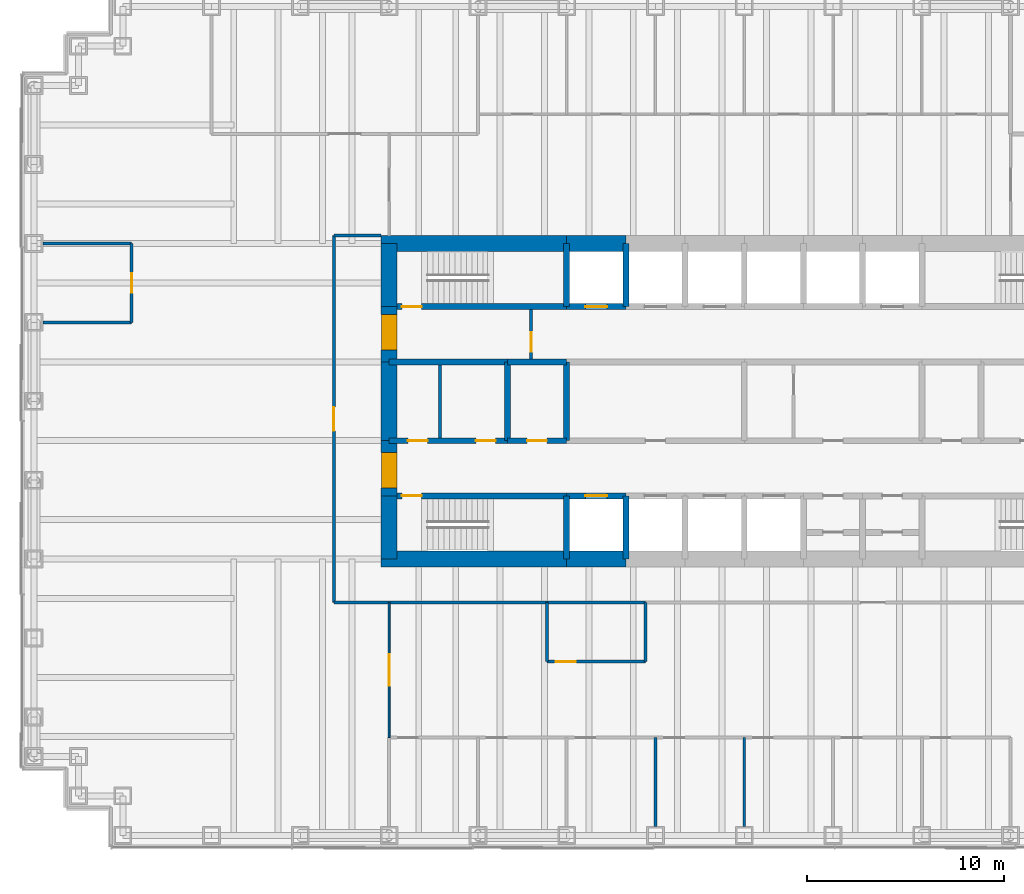
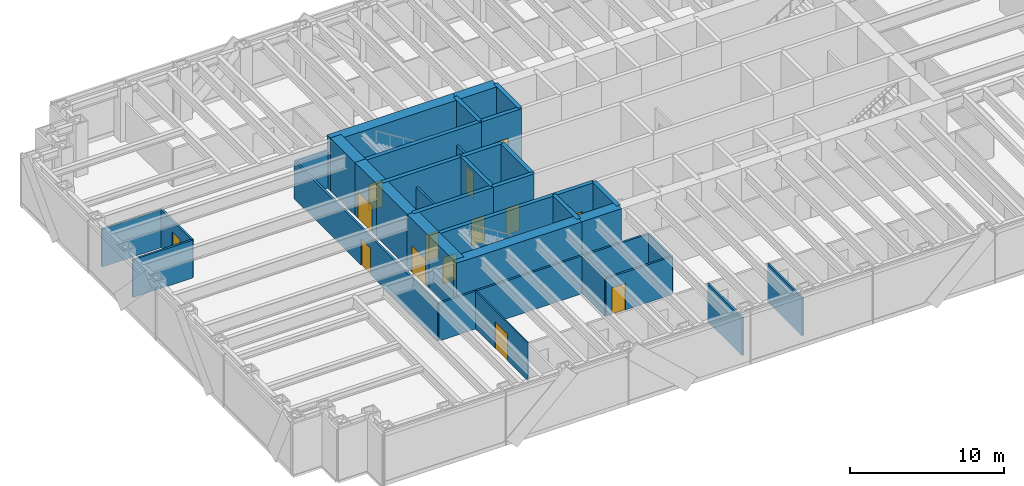
# One storey, part 10 of 14: 38 walls, 14 doors, 14 openings.
"""IFC4 building model written with IfcOpenShell, lengths in metres."""

from ifc_helpers import new_model, si_unit, direction, frame, frame_2d, origin, place, context, subcontext, project, spatial, rectangle, extrude, material, layer, layer_set, type_object, element, fill, save


model = new_model("IFC4")

# Units and contexts
model_context = context("Model", 3, precision=1e-05, world=origin(), true_north=direction((0.0, 1.0)))
body_context = subcontext(model_context, "Body", "Model", "MODEL_VIEW")
ifc_project = project(units=[si_unit("LENGTHUNIT", "METRE"), si_unit("AREAUNIT", "SQUARE_METRE"), si_unit("VOLUMEUNIT", "CUBIC_METRE"), si_unit("PLANEANGLEUNIT", "RADIAN"), si_unit("MASSUNIT", "GRAM", prefix="KILO")], contexts=[model_context])

# Site, building, storey
site_placement = place(None, origin())
site = spatial("IfcSite", under=ifc_project, at=site_placement, CompositionType="ELEMENT")
building_placement = place(site_placement, origin())
building = spatial("IfcBuilding", under=site, at=building_placement, Name="Rheinbord Bourse Tower", CompositionType="ELEMENT")
storey_placement = place(building_placement, frame((0.0, 0.0, 194.199951171875)))
storey = spatial("IfcBuildingStorey", under=building, at=storey_placement, Name="L43", CompositionType="ELEMENT", Elevation=194.199951171875)

# Wall, opening, door
ifc_material_1 = material(Name="Concrete C50/60", Category="concrete")
ifc_layer_1 = layer(ifc_material_1, 0.300048828125)
ifc_layer_set_1 = layer_set([ifc_layer_1], Name="CORE INNER WALL 300")
wall_type_1 = type_object("IfcWallType", Name="CORE INNER WALL 300", PredefinedType="SOLIDWALL", material=ifc_layer_set_1)
wall_1_placement = place(storey_placement, frame((18.0, 19.199951171875, 0.0), z_axis=(0.0, 0.0, 1.0), x_axis=(1.0, 0.0, 0.0)))
wall_1 = element("IfcWall", 1, at=wall_1_placement, inside=storey, type_object=wall_type_1, Name="Core wall A1 L43", PredefinedType="SOLIDWALL", context=body_context, shape_type="SweptSolid", body=[
    extrude(rectangle(XDim=9.0, YDim=0.300048828125, at=frame_2d((4.5, 0.0))), origin(), (0.0, 0.0, 1.0), 4.199951171875),
])
opening_1_placement = place(wall_1_placement, frame((0.64990234375, 0.0, 0.0)))
opening_1 = element("IfcOpeningElement", 2, at=opening_1_placement, cuts=wall_1, Name="Opening 4310", PredefinedType="OPENING", context=body_context, shape_type="SweptSolid", body=[
    extrude(rectangle(XDim=1.0, YDim=2.10009765625, at=frame_2d((0.5, 1.050048828125))), frame((0.0, 0.159912109375, 0.0), z_axis=(0.0, -1.0, 0.0), x_axis=(1.0, 0.0, 0.0)), (0.0, 0.0, 1.0), 0.320068359375),
])
ifc_material_2 = material(Name="Steel door", Category="steel")
door_type_1 = type_object("IfcDoorType", Name="DOOR 1000 EI30", OperationType="SINGLE_SWING_LEFT", PredefinedType="DOOR", material=ifc_material_2)
door_1_placement = place(opening_1_placement, origin())
door_1 = element("IfcDoor", 3, at=door_1_placement, inside=storey, type_object=door_type_1, Name="Stair door ST1 L43", OperationType="SINGLE_SWING_LEFT", OverallHeight=2.10009765625, OverallWidth=1.0, PredefinedType="DOOR", context=body_context, shape_type="SweptSolid", body=[
    extrude(rectangle(XDim=1.0, YDim=2.10009765625, at=frame_2d((0.5, 1.050048828125))), frame((0.0, 0.02490234375, 0.0), z_axis=(0.0, -1.0, 0.0), x_axis=(1.0, 0.0, 0.0)), (0.0, 0.0, 1.0), 0.050048828125),
])
fill(opening_1, door_1)

wall_2_placement = place(storey_placement, frame((27.0, 19.199951171875, 0.0), z_axis=(0.0, 0.0, 1.0), x_axis=(1.0, 0.0, 0.0)))
wall_2 = element("IfcWall", 4, at=wall_2_placement, inside=storey, type_object=wall_type_1, Name="Core wall A2 L43", PredefinedType="SOLIDWALL", context=body_context, shape_type="SweptSolid", body=[
    extrude(rectangle(XDim=3.0, YDim=0.300048828125, at=frame_2d((1.5, 0.0))), origin(), (0.0, 0.0, 1.0), 4.199951171875),
])
opening_2_placement = place(wall_2_placement, frame((0.949951171875, 0.0, 0.0)))
opening_2 = element("IfcOpeningElement", 5, at=opening_2_placement, cuts=wall_2, Name="Opening FL1", PredefinedType="OPENING", context=body_context, shape_type="SweptSolid", body=[
    extrude(rectangle(XDim=1.10009765625, YDim=2.199951171875, at=frame_2d((0.550048828125, 1.10009765625))), frame((0.0, 0.159912109375, 0.0), z_axis=(0.0, -1.0, 0.0), x_axis=(1.0, 0.0, 0.0)), (0.0, 0.0, 1.0), 0.320068359375),
])
ifc_material_3 = material(Name="Steel landing door", Category="steel")
door_type_2 = type_object("IfcDoorType", Name="LIFT LANDING DOOR 1100", OperationType="DOUBLE_DOOR_SLIDING", PredefinedType="USERDEFINED", material=ifc_material_3)
door_2_placement = place(opening_2_placement, origin())
door_2 = element("IfcDoor", 6, at=door_2_placement, inside=storey, type_object=door_type_2, Name="Lift landing door FL1 L43", ObjectType="LIFT LANDING DOOR", OperationType="DOUBLE_DOOR_SLIDING", OverallHeight=2.199951171875, OverallWidth=1.10009765625, PredefinedType="USERDEFINED", context=body_context, shape_type="SweptSolid", body=[
    extrude(rectangle(XDim=1.10009765625, YDim=2.199951171875, at=frame_2d((0.550048828125, 1.10009765625))), frame((0.0, 0.02490234375, 0.0), z_axis=(0.0, -1.0, 0.0), x_axis=(1.0, 0.0, 0.0)), (0.0, 0.0, 1.0), 0.050048828125),
])
fill(opening_2, door_2)

wall_3_placement = place(storey_placement, frame((18.0, 28.800048828125, 0.0), z_axis=(0.0, 0.0, 1.0), x_axis=(1.0, 0.0, 0.0)))
wall_3 = element("IfcWall", 7, at=wall_3_placement, inside=storey, type_object=wall_type_1, Name="Core wall B1 L43", PredefinedType="SOLIDWALL", context=body_context, shape_type="SweptSolid", body=[
    extrude(rectangle(XDim=9.0, YDim=0.300048828125, at=frame_2d((4.5, 0.0))), origin(), (0.0, 0.0, 1.0), 4.199951171875),
])
opening_3_placement = place(wall_3_placement, frame((0.64990234375, 0.0, 0.0)))
opening_3 = element("IfcOpeningElement", 8, at=opening_3_placement, cuts=wall_3, Name="Opening 4320", PredefinedType="OPENING", context=body_context, shape_type="SweptSolid", body=[
    extrude(rectangle(XDim=1.0, YDim=2.10009765625, at=frame_2d((0.5, 1.050048828125))), frame((0.0, 0.159912109375, 0.0), z_axis=(0.0, -1.0, 0.0), x_axis=(1.0, 0.0, 0.0)), (0.0, 0.0, 1.0), 0.320068359375),
])
door_3_placement = place(opening_3_placement, origin())
door_3 = element("IfcDoor", 9, at=door_3_placement, inside=storey, type_object=door_type_1, Name="Stair door ST2 L43", OperationType="SINGLE_SWING_LEFT", OverallHeight=2.10009765625, OverallWidth=1.0, PredefinedType="DOOR", context=body_context, shape_type="SweptSolid", body=[
    extrude(rectangle(XDim=1.0, YDim=2.10009765625, at=frame_2d((0.5, 1.050048828125))), frame((0.0, 0.02490234375, 0.0), z_axis=(0.0, -1.0, 0.0), x_axis=(1.0, 0.0, 0.0)), (0.0, 0.0, 1.0), 0.050048828125),
])
fill(opening_3, door_3)

wall_4_placement = place(storey_placement, frame((27.0, 28.800048828125, 0.0), z_axis=(0.0, 0.0, 1.0), x_axis=(1.0, 0.0, 0.0)))
wall_4 = element("IfcWall", 10, at=wall_4_placement, inside=storey, type_object=wall_type_1, Name="Core wall B2 L43", PredefinedType="SOLIDWALL", context=body_context, shape_type="SweptSolid", body=[
    extrude(rectangle(XDim=3.0, YDim=0.300048828125, at=frame_2d((1.5, 0.0))), origin(), (0.0, 0.0, 1.0), 4.199951171875),
])
opening_4_placement = place(wall_4_placement, frame((0.949951171875, 0.0, 0.0)))
opening_4 = element("IfcOpeningElement", 11, at=opening_4_placement, cuts=wall_4, Name="Opening GL1", PredefinedType="OPENING", context=body_context, shape_type="SweptSolid", body=[
    extrude(rectangle(XDim=1.10009765625, YDim=2.199951171875, at=frame_2d((0.550048828125, 1.10009765625))), frame((0.0, 0.159912109375, 0.0), z_axis=(0.0, -1.0, 0.0), x_axis=(1.0, 0.0, 0.0)), (0.0, 0.0, 1.0), 0.320068359375),
])
door_4_placement = place(opening_4_placement, origin())
door_4 = element("IfcDoor", 12, at=door_4_placement, inside=storey, type_object=door_type_2, Name="Lift landing door GL1 L43", ObjectType="LIFT LANDING DOOR", OperationType="DOUBLE_DOOR_SLIDING", OverallHeight=2.199951171875, OverallWidth=1.10009765625, PredefinedType="USERDEFINED", context=body_context, shape_type="SweptSolid", body=[
    extrude(rectangle(XDim=1.10009765625, YDim=2.199951171875, at=frame_2d((0.550048828125, 1.10009765625))), frame((0.0, 0.02490234375, 0.0), z_axis=(0.0, -1.0, 0.0), x_axis=(1.0, 0.0, 0.0)), (0.0, 0.0, 1.0), 0.050048828125),
])
fill(opening_4, door_4)

# Wall, openings, doors
wall_5_placement = place(storey_placement, frame((18.0, 22.0, 0.0), z_axis=(0.0, 0.0, 1.0), x_axis=(1.0, 0.0, 0.0)))
wall_5 = element("IfcWall", 13, at=wall_5_placement, inside=storey, type_object=wall_type_1, Name="Core wall C1 L43", PredefinedType="SOLIDWALL", context=body_context, shape_type="SweptSolid", body=[
    extrude(rectangle(XDim=6.0, YDim=0.300048828125, at=frame_2d((3.0, 0.0))), origin(), (0.0, 0.0, 1.0), 4.199951171875),
])
opening_5_placement = place(wall_5_placement, frame((4.39990234375, 0.0, 0.0)))
opening_5 = element("IfcOpeningElement", 14, at=opening_5_placement, cuts=wall_5, Name="Opening 43R1", PredefinedType="OPENING", context=body_context, shape_type="SweptSolid", body=[
    extrude(rectangle(XDim=1.0, YDim=2.10009765625, at=frame_2d((0.5, 1.050048828125))), frame((0.0, 0.159912109375, 0.0), z_axis=(0.0, -1.0, 0.0), x_axis=(1.0, 0.0, 0.0)), (0.0, 0.0, 1.0), 0.320068359375),
])
opening_6_placement = place(wall_5_placement, frame((0.949951171875, 0.0, 0.0)))
opening_6 = element("IfcOpeningElement", 15, at=opening_6_placement, cuts=wall_5, Name="Opening 43R9", PredefinedType="OPENING", context=body_context, shape_type="SweptSolid", body=[
    extrude(rectangle(XDim=1.0, YDim=2.10009765625, at=frame_2d((0.5, 1.050048828125))), frame((0.0, 0.159912109375, 0.0), z_axis=(0.0, -1.0, 0.0), x_axis=(1.0, 0.0, 0.0)), (0.0, 0.0, 1.0), 0.320068359375),
])
door_5_placement = place(opening_6_placement, origin())
door_5 = element("IfcDoor", 16, at=door_5_placement, inside=storey, type_object=door_type_1, Name="Baby change door L43", OperationType="SINGLE_SWING_LEFT", OverallHeight=2.10009765625, OverallWidth=1.0, PredefinedType="DOOR", context=body_context, shape_type="SweptSolid", body=[
    extrude(rectangle(XDim=1.0, YDim=2.10009765625, at=frame_2d((0.5, 1.050048828125))), frame((0.0, 0.02490234375, 0.0), z_axis=(0.0, -1.0, 0.0), x_axis=(1.0, 0.0, 0.0)), (0.0, 0.0, 1.0), 0.050048828125),
])
fill(opening_6, door_5)
ifc_material_4 = material(Name="Timber door", Category="wood")
door_type_3 = type_object("IfcDoorType", Name="DOOR 1000 WC", OperationType="SINGLE_SWING_LEFT", PredefinedType="DOOR", material=ifc_material_4)
door_6_placement = place(opening_5_placement, origin())
door_6 = element("IfcDoor", 17, at=door_6_placement, inside=storey, type_object=door_type_3, Name="WC men door L43", OperationType="SINGLE_SWING_RIGHT", OverallHeight=2.10009765625, OverallWidth=1.0, PredefinedType="DOOR", context=body_context, shape_type="SweptSolid", body=[
    extrude(rectangle(XDim=1.0, YDim=2.10009765625, at=frame_2d((0.5, 1.050048828125))), frame((0.0, 0.02490234375, 0.0), z_axis=(0.0, -1.0, 0.0), x_axis=(1.0, 0.0, 0.0)), (0.0, 0.0, 1.0), 0.050048828125),
])
fill(opening_5, door_6)

# Wall, opening, door
wall_6_placement = place(storey_placement, frame((24.0, 22.0, 0.0), z_axis=(0.0, 0.0, 1.0), x_axis=(1.0, 0.0, 0.0)))
wall_6 = element("IfcWall", 18, at=wall_6_placement, inside=storey, type_object=wall_type_1, Name="Core wall C2 L43", PredefinedType="SOLIDWALL", context=body_context, shape_type="SweptSolid", body=[
    extrude(rectangle(XDim=3.0, YDim=0.300048828125, at=frame_2d((1.5, 0.0))), origin(), (0.0, 0.0, 1.0), 4.199951171875),
])
opening_7_placement = place(wall_6_placement, frame((1.0, 0.0, 0.0)))
opening_7 = element("IfcOpeningElement", 19, at=opening_7_placement, cuts=wall_6, Name="Opening 43R2", PredefinedType="OPENING", context=body_context, shape_type="SweptSolid", body=[
    extrude(rectangle(XDim=1.0, YDim=2.10009765625, at=frame_2d((0.5, 1.050048828125))), frame((0.0, 0.159912109375, 0.0), z_axis=(0.0, -1.0, 0.0), x_axis=(1.0, 0.0, 0.0)), (0.0, 0.0, 1.0), 0.320068359375),
])
door_7_placement = place(opening_7_placement, origin())
door_7 = element("IfcDoor", 20, at=door_7_placement, inside=storey, type_object=door_type_3, Name="Accessible WC door L43", OperationType="SINGLE_SWING_LEFT", OverallHeight=2.10009765625, OverallWidth=1.0, PredefinedType="DOOR", context=body_context, shape_type="SweptSolid", body=[
    extrude(rectangle(XDim=1.0, YDim=2.10009765625, at=frame_2d((0.5, 1.050048828125))), frame((0.0, 0.02490234375, 0.0), z_axis=(0.0, -1.0, 0.0), x_axis=(1.0, 0.0, 0.0)), (0.0, 0.0, 1.0), 0.050048828125),
])
fill(opening_7, door_7)

# Walls
wall_7_placement = place(storey_placement, frame((18.0, 26.0, 0.0), z_axis=(0.0, 0.0, 1.0), x_axis=(1.0, 0.0, 0.0)))
element("IfcWall", 21, at=wall_7_placement, inside=storey, type_object=wall_type_1, Name="Core wall D1 L43", PredefinedType="SOLIDWALL", context=body_context, shape_type="SweptSolid", body=[
    extrude(rectangle(XDim=6.0, YDim=0.300048828125, at=frame_2d((3.0, 0.0))), origin(), (0.0, 0.0, 1.0), 4.199951171875),
])
wall_8_placement = place(storey_placement, frame((24.0, 26.0, 0.0), z_axis=(0.0, 0.0, 1.0), x_axis=(1.0, 0.0, 0.0)))
element("IfcWall", 22, at=wall_8_placement, inside=storey, type_object=wall_type_1, Name="Core wall D2 L43", PredefinedType="SOLIDWALL", context=body_context, shape_type="SweptSolid", body=[
    extrude(rectangle(XDim=3.0, YDim=0.300048828125, at=frame_2d((1.5, 0.0))), origin(), (0.0, 0.0, 1.0), 4.199951171875),
])
for number, where, z_axis, x_axis, name in (
    (23, (27.0, 16.0, 0.0), (0.0, 0.0, 1.0), (0.0, 1.0, 0.0), "Core wall SX27 L43"),
    (24, (27.0, 28.800048828125, 0.0), (0.0, 0.0, 1.0), (0.0, 1.0, 0.0), "Core wall NX27 L43"),
    (25, (30.0, 16.0, 0.0), (0.0, 0.0, 1.0), (0.0, 1.0, 0.0), "Core wall SX30 L43"),
    (26, (30.0, 28.800048828125, 0.0), (0.0, 0.0, 1.0), (0.0, 1.0, 0.0), "Core wall NX30 L43"),
):
    element("IfcWall", number, at=place(storey_placement, frame(where, z_axis=z_axis, x_axis=x_axis)), inside=storey, type_object=wall_type_1, Name=name, PredefinedType="SOLIDWALL", context=body_context, shape_type="SweptSolid", body=[
        extrude(rectangle(XDim=3.199951171875, YDim=0.300048828125, at=frame_2d((1.60009765625, 0.0))), origin(), (0.0, 0.0, 1.0), 4.199951171875),
    ])
for number, where, z_axis, x_axis, name in (
    (27, (24.0, 22.0, 0.0), (0.0, 0.0, 1.0), (0.0, 1.0, 0.0), "Core wall MX24 L43"),
    (28, (27.0, 22.0, 0.0), (0.0, 0.0, 1.0), (0.0, 1.0, 0.0), "Core wall MX27 L43"),
):
    element("IfcWall", number, at=place(storey_placement, frame(where, z_axis=z_axis, x_axis=x_axis)), inside=storey, type_object=wall_type_1, Name=name, PredefinedType="SOLIDWALL", context=body_context, shape_type="SweptSolid", body=[
        extrude(rectangle(XDim=4.0, YDim=0.300048828125, at=frame_2d((2.0, 0.0))), origin(), (0.0, 0.0, 1.0), 4.199951171875),
    ])
ifc_material_5 = material(Name="Gypsum board fire partition", Category="gypsum board")
ifc_layer_2 = layer(ifc_material_5, 0.14990234375)
ifc_layer_set_2 = layer_set([ifc_layer_2], Name="CORE PARTITION 150 EI30")
wall_type_2 = type_object("IfcWallType", Name="CORE PARTITION 150 EI30", PredefinedType="PARTITIONING", material=ifc_layer_set_2)
wall_9_placement = place(storey_placement, frame((20.574951171875, 22.14990234375, 0.0), z_axis=(0.0, 0.0, 1.0), x_axis=(0.0, 1.0, 0.0)))
element("IfcWall", 29, at=wall_9_placement, inside=storey, type_object=wall_type_2, Name="Core partition L43-2", PredefinedType="PARTITIONING", context=body_context, shape_type="SweptSolid", body=[
    extrude(rectangle(XDim=3.7001953125, YDim=0.14990234375, at=frame_2d((1.85009765625, 0.0))), origin(), (0.0, 0.0, 1.0), 3.0),
])

# Wall, opening, door
wall_10_placement = place(storey_placement, frame((25.199951171875, 26.14990234375, 0.0), z_axis=(0.0, 0.0, 1.0), x_axis=(0.0, 1.0, 0.0)))
wall_10 = element("IfcWall", 30, at=wall_10_placement, inside=storey, type_object=wall_type_2, Name="Core partition L43-5", PredefinedType="PARTITIONING", context=body_context, shape_type="SweptSolid", body=[
    extrude(rectangle(XDim=2.5, YDim=0.14990234375, at=frame_2d((1.25, 0.0))), origin(), (0.0, 0.0, 1.0), 3.0),
])
opening_8_placement = place(wall_10_placement, frame((0.35009765625, 0.0, 0.0)))
opening_8 = element("IfcOpeningElement", 31, at=opening_8_placement, cuts=wall_10, Name="Opening 43L6", PredefinedType="OPENING", context=body_context, shape_type="SweptSolid", body=[
    extrude(rectangle(XDim=1.0, YDim=2.10009765625, at=frame_2d((0.5, 1.050048828125))), frame((0.0, 0.0849609375, 0.0), z_axis=(0.0, -1.0, 0.0), x_axis=(1.0, 0.0, 0.0)), (0.0, 0.0, 1.0), 0.169921875),
])
door_8_placement = place(opening_8_placement, origin())
door_8 = element("IfcDoor", 32, at=door_8_placement, inside=storey, type_object=door_type_1, Name="Stair lobby door L43", OperationType="SINGLE_SWING_LEFT", OverallHeight=2.10009765625, OverallWidth=1.0, PredefinedType="DOOR", context=body_context, shape_type="SweptSolid", body=[
    extrude(rectangle(XDim=1.0, YDim=2.10009765625, at=frame_2d((0.5, 1.050048828125))), frame((0.0, 0.02490234375, 0.0), z_axis=(0.0, -1.0, 0.0), x_axis=(1.0, 0.0, 0.0)), (0.0, 0.0, 1.0), 0.050048828125),
])
fill(opening_8, door_8)

# Walls
ifc_material_6 = material(Name="Concrete C50/60", Category="concrete")
ifc_layer_3 = layer(ifc_material_6, 0.800048828125)
ifc_layer_set_3 = layer_set([ifc_layer_3], Name="CORE WALL 800")
wall_type_3 = type_object("IfcWallType", Name="CORE WALL 800", PredefinedType="SHEAR", material=ifc_layer_set_3)
wall_11_placement = place(storey_placement, frame((17.60009765625, 16.0, 0.0), z_axis=(0.0, 0.0, 1.0), x_axis=(1.0, 0.0, 0.0)))
element("IfcWall", 33, at=wall_11_placement, inside=storey, type_object=wall_type_3, Name="Core wall S1 L43", PredefinedType="SHEAR", context=body_context, shape_type="SweptSolid", body=[
    extrude(rectangle(XDim=9.39990234375, YDim=0.800048828125, at=frame_2d((4.699951171875, 0.0))), origin(), (0.0, 0.0, 1.0), 4.199951171875),
])
for number, where, z_axis, x_axis, name in (
    (34, (27.0, 16.0, 0.0), (0.0, 0.0, 1.0), (1.0, 0.0, 0.0), "Core wall S2 L43"),
    (35, (30.0, 32.0, 0.0), (0.0, 0.0, 1.0), (-1.0, 0.0, 0.0), "Core wall N7 L43"),
):
    element("IfcWall", number, at=place(storey_placement, frame(where, z_axis=z_axis, x_axis=x_axis)), inside=storey, type_object=wall_type_3, Name=name, PredefinedType="SHEAR", context=body_context, shape_type="SweptSolid", body=[
        extrude(rectangle(XDim=3.0, YDim=0.800048828125, at=frame_2d((1.5, 0.0))), origin(), (0.0, 0.0, 1.0), 4.199951171875),
    ])
wall_12_placement = place(storey_placement, frame((27.0, 32.0, 0.0), z_axis=(0.0, 0.0, 1.0), x_axis=(-1.0, 0.0, 0.0)))
element("IfcWall", 36, at=wall_12_placement, inside=storey, type_object=wall_type_3, Name="Core wall N8 L43", PredefinedType="SHEAR", context=body_context, shape_type="SweptSolid", body=[
    extrude(rectangle(XDim=9.39990234375, YDim=0.800048828125, at=frame_2d((4.699951171875, 0.0))), origin(), (0.0, 0.0, 1.0), 4.199951171875),
])
wall_13_placement = place(storey_placement, frame((18.0, 32.0, 0.0), z_axis=(0.0, 0.0, 1.0), x_axis=(0.0, -1.0, 0.0)))
element("IfcWall", 37, at=wall_13_placement, inside=storey, type_object=wall_type_3, Name="Core wall W1 L43", PredefinedType="SHEAR", context=body_context, shape_type="SweptSolid", body=[
    extrude(rectangle(XDim=3.199951171875, YDim=0.800048828125, at=frame_2d((1.60009765625, 0.0))), origin(), (0.0, 0.0, 1.0), 4.199951171875),
])

# Wall, opening, door
wall_14_placement = place(storey_placement, frame((18.0, 28.800048828125, 0.0), z_axis=(0.0, 0.0, 1.0), x_axis=(0.0, -1.0, 0.0)))
wall_14 = element("IfcWall", 38, at=wall_14_placement, inside=storey, type_object=wall_type_3, Name="Core wall W2 L43", PredefinedType="SHEAR", context=body_context, shape_type="SweptSolid", body=[
    extrude(rectangle(XDim=2.800048828125, YDim=0.800048828125, at=frame_2d((1.39990234375, 0.0))), origin(), (0.0, 0.0, 1.0), 4.199951171875),
])
opening_9_placement = place(wall_14_placement, frame((0.39990234375, 0.0, 0.0)))
opening_9 = element("IfcOpeningElement", 39, at=opening_9_placement, cuts=wall_14, Name="Opening 43L2", PredefinedType="OPENING", context=body_context, shape_type="SweptSolid", body=[
    extrude(rectangle(XDim=1.800048828125, YDim=2.10009765625, at=frame_2d((0.89990234375, 1.050048828125))), frame((0.0, 0.409912109375, 0.0), z_axis=(0.0, -1.0, 0.0), x_axis=(1.0, 0.0, 0.0)), (0.0, 0.0, 1.0), 0.820068359375),
])
ifc_material_7 = material(Name="Steel door", Category="steel")
door_type_4 = type_object("IfcDoorType", Name="DOOR 1800 EI30 DOUBLE", OperationType="DOUBLE_DOOR_DOUBLE_SWING", PredefinedType="DOOR", material=ifc_material_7)
door_9_placement = place(opening_9_placement, origin())
door_9 = element("IfcDoor", 40, at=door_9_placement, inside=storey, type_object=door_type_4, Name="Lobby door 2 L43", OperationType="SINGLE_SWING_LEFT", OverallHeight=2.10009765625, OverallWidth=1.800048828125, PredefinedType="DOOR", context=body_context, shape_type="SweptSolid", body=[
    extrude(rectangle(XDim=1.800048828125, YDim=2.10009765625, at=frame_2d((0.89990234375, 1.050048828125))), frame((0.0, 0.39990234375, 0.0), z_axis=(0.0, -1.0, 0.0), x_axis=(1.0, 0.0, 0.0)), (0.0, 0.0, 1.0), 0.799560546875),
])
fill(opening_9, door_9)

# Wall
wall_15_placement = place(storey_placement, frame((18.0, 26.0, 0.0), z_axis=(0.0, 0.0, 1.0), x_axis=(0.0, -1.0, 0.0)))
element("IfcWall", 41, at=wall_15_placement, inside=storey, type_object=wall_type_3, Name="Core wall W3 L43", PredefinedType="SHEAR", context=body_context, shape_type="SweptSolid", body=[
    extrude(rectangle(XDim=4.0, YDim=0.800048828125, at=frame_2d((2.0, 0.0))), origin(), (0.0, 0.0, 1.0), 4.199951171875),
])

# Wall, opening, door
wall_16_placement = place(storey_placement, frame((18.0, 22.0, 0.0), z_axis=(0.0, 0.0, 1.0), x_axis=(0.0, -1.0, 0.0)))
wall_16 = element("IfcWall", 42, at=wall_16_placement, inside=storey, type_object=wall_type_3, Name="Core wall W4 L43", PredefinedType="SHEAR", context=body_context, shape_type="SweptSolid", body=[
    extrude(rectangle(XDim=2.800048828125, YDim=0.800048828125, at=frame_2d((1.39990234375, 0.0))), origin(), (0.0, 0.0, 1.0), 4.199951171875),
])
opening_10_placement = place(wall_16_placement, frame((0.60009765625, 0.0, 0.0)))
opening_10 = element("IfcOpeningElement", 43, at=opening_10_placement, cuts=wall_16, Name="Opening 43L1", PredefinedType="OPENING", context=body_context, shape_type="SweptSolid", body=[
    extrude(rectangle(XDim=1.800048828125, YDim=2.10009765625, at=frame_2d((0.89990234375, 1.050048828125))), frame((0.0, 0.409912109375, 0.0), z_axis=(0.0, -1.0, 0.0), x_axis=(1.0, 0.0, 0.0)), (0.0, 0.0, 1.0), 0.820068359375),
])
door_10_placement = place(opening_10_placement, origin())
door_10 = element("IfcDoor", 44, at=door_10_placement, inside=storey, type_object=door_type_4, Name="Lobby door 1 L43", OperationType="SINGLE_SWING_LEFT", OverallHeight=2.10009765625, OverallWidth=1.800048828125, PredefinedType="DOOR", context=body_context, shape_type="SweptSolid", body=[
    extrude(rectangle(XDim=1.800048828125, YDim=2.10009765625, at=frame_2d((0.89990234375, 1.050048828125))), frame((0.0, 0.39990234375, 0.0), z_axis=(0.0, -1.0, 0.0), x_axis=(1.0, 0.0, 0.0)), (0.0, 0.0, 1.0), 0.799560546875),
])
fill(opening_10, door_10)

# Walls
wall_17_placement = place(storey_placement, frame((18.0, 19.199951171875, 0.0), z_axis=(0.0, 0.0, 1.0), x_axis=(0.0, -1.0, 0.0)))
element("IfcWall", 45, at=wall_17_placement, inside=storey, type_object=wall_type_3, Name="Core wall W5 L43", PredefinedType="SHEAR", context=body_context, shape_type="SweptSolid", body=[
    extrude(rectangle(XDim=3.199951171875, YDim=0.800048828125, at=frame_2d((1.60009765625, 0.0))), origin(), (0.0, 0.0, 1.0), 4.199951171875),
])
ifc_material_8 = material(Name="Gypsum board corridor partition", Category="gypsum board")
ifc_layer_4 = layer(ifc_material_8, 0.14990234375)
ifc_layer_set_4 = layer_set([ifc_layer_4], Name="CORRIDOR PARTITION 150 EI30")
wall_type_4 = type_object("IfcWallType", Name="CORRIDOR PARTITION 150 EI30", PredefinedType="PARTITIONING", material=ifc_layer_set_4)
wall_18_placement = place(storey_placement, frame((15.199951171875, 13.800048828125, 0.0), z_axis=(0.0, 0.0, 1.0), x_axis=(1.0, 0.0, 0.0)))
element("IfcWall", 46, at=wall_18_placement, inside=storey, type_object=wall_type_4, Name="Partition L43-03", PredefinedType="PARTITIONING", context=body_context, shape_type="SweptSolid", body=[
    extrude(rectangle(XDim=10.800048828125, YDim=0.14990234375, at=frame_2d((5.39990234375, 0.0))), origin(), (0.0, 0.0, 1.0), 3.0),
])
wall_19_placement = place(storey_placement, frame((15.199951171875, 32.39990234375, 0.0), z_axis=(0.0, 0.0, 1.0), x_axis=(1.0, 0.0, 0.0)))
element("IfcWall", 47, at=wall_19_placement, inside=storey, type_object=wall_type_4, Name="Partition L43-10", PredefinedType="PARTITIONING", context=body_context, shape_type="SweptSolid", body=[
    extrude(rectangle(XDim=2.400146484375, YDim=0.14990234375, at=frame_2d((1.2001953125, 0.0))), origin(), (0.0, 0.0, 1.0), 3.0),
])

# Wall, opening, door
wall_20_placement = place(storey_placement, frame((15.199951171875, 13.800048828125, 0.0), z_axis=(0.0, 0.0, 1.0), x_axis=(0.0, 1.0, 0.0)))
wall_20 = element("IfcWall", 48, at=wall_20_placement, inside=storey, type_object=wall_type_4, Name="Partition L43-17", PredefinedType="PARTITIONING", context=body_context, shape_type="SweptSolid", body=[
    extrude(rectangle(XDim=18.599853515625, YDim=0.14990234375, at=frame_2d((9.2998046875, 0.0))), origin(), (0.0, 0.0, 1.0), 3.0),
])
opening_11_placement = place(wall_20_placement, frame((8.699951171875, 0.0, 0.0)))
opening_11 = element("IfcOpeningElement", 49, at=opening_11_placement, cuts=wall_20, Name="Opening 43D23", PredefinedType="OPENING", context=body_context, shape_type="SweptSolid", body=[
    extrude(rectangle(XDim=1.199951171875, YDim=2.10009765625, at=frame_2d((0.60009765625, 1.050048828125))), frame((0.0, 0.0849609375, 0.0), z_axis=(0.0, -1.0, 0.0), x_axis=(1.0, 0.0, 0.0)), (0.0, 0.0, 1.0), 0.169921875),
])
ifc_material_9 = material(Name="Timber fire door", Category="wood")
door_type_5 = type_object("IfcDoorType", Name="SUITE ENTRANCE DOOR 1200 EI30", OperationType="SINGLE_SWING_LEFT", PredefinedType="DOOR", material=ifc_material_9)
door_11_placement = place(opening_11_placement, origin())
door_11 = element("IfcDoor", 50, at=door_11_placement, inside=storey, type_object=door_type_5, Name="Suite entrance 1 door L43", OperationType="SINGLE_SWING_LEFT", OverallHeight=2.10009765625, OverallWidth=1.199951171875, PredefinedType="DOOR", context=body_context, shape_type="SweptSolid", body=[
    extrude(rectangle(XDim=1.199951171875, YDim=2.10009765625, at=frame_2d((0.60009765625, 1.050048828125))), frame((0.0, 0.02490234375, 0.0), z_axis=(0.0, -1.0, 0.0), x_axis=(1.0, 0.0, 0.0)), (0.0, 0.0, 1.0), 0.050048828125),
])
fill(opening_11, door_11)

ifc_material_10 = material(Name="Gypsum board fire partition", Category="gypsum board")
ifc_layer_5 = layer(ifc_material_10, 0.14990234375)
ifc_layer_set_5 = layer_set([ifc_layer_5], Name="FIRE PARTITION 150 EI60")
wall_type_5 = type_object("IfcWallType", Name="FIRE PARTITION 150 EI60", PredefinedType="PARTITIONING", material=ifc_layer_set_5)
wall_21_placement = place(storey_placement, frame((26.0, 10.800048828125, 0.0), z_axis=(0.0, 0.0, 1.0), x_axis=(1.0, 0.0, 0.0)))
wall_21 = element("IfcWall", 51, at=wall_21_placement, inside=storey, type_object=wall_type_5, Name="Partition L43-02", PredefinedType="PARTITIONING", context=body_context, shape_type="SweptSolid", body=[
    extrude(rectangle(XDim=5.0, YDim=0.14990234375, at=frame_2d((2.5, 0.0))), origin(), (0.0, 0.0, 1.0), 3.0),
])
opening_12_placement = place(wall_21_placement, frame((0.449951171875, 0.0, 0.0)))
opening_12 = element("IfcOpeningElement", 52, at=opening_12_placement, cuts=wall_21, Name="Opening 43D08", PredefinedType="OPENING", context=body_context, shape_type="SweptSolid", body=[
    extrude(rectangle(XDim=1.0, YDim=2.10009765625, at=frame_2d((0.5, 1.050048828125))), frame((0.0, 0.0849609375, 0.0), z_axis=(0.0, -1.0, 0.0), x_axis=(1.0, 0.0, 0.0)), (0.0, 0.0, 1.0), 0.169921875),
])
ifc_material_11 = material(Name="Timber fire door", Category="wood")
door_type_6 = type_object("IfcDoorType", Name="FIRE DOOR 1000 EI60", OperationType="SINGLE_SWING_LEFT", PredefinedType="DOOR", material=ifc_material_11)
door_12_placement = place(opening_12_placement, origin())
door_12 = element("IfcDoor", 53, at=door_12_placement, inside=storey, type_object=door_type_6, Name="Comms room door L43", OperationType="SINGLE_SWING_LEFT", OverallHeight=2.10009765625, OverallWidth=1.0, PredefinedType="DOOR", context=body_context, shape_type="SweptSolid", body=[
    extrude(rectangle(XDim=1.0, YDim=2.10009765625, at=frame_2d((0.5, 1.050048828125))), frame((0.0, 0.02490234375, 0.0), z_axis=(0.0, -1.0, 0.0), x_axis=(1.0, 0.0, 0.0)), (0.0, 0.0, 1.0), 0.050048828125),
])
fill(opening_12, door_12)

# Walls
wall_22_placement = place(storey_placement, frame((26.0, 13.800048828125, 0.0), z_axis=(0.0, 0.0, 1.0), x_axis=(1.0, 0.0, 0.0)))
element("IfcWall", 54, at=wall_22_placement, inside=storey, type_object=wall_type_5, Name="Partition L43-04", PredefinedType="PARTITIONING", context=body_context, shape_type="SweptSolid", body=[
    extrude(rectangle(XDim=5.0, YDim=0.14990234375, at=frame_2d((2.5, 0.0))), origin(), (0.0, 0.0, 1.0), 3.0),
])
for number, where, z_axis, x_axis, name in (
    (55, (0.449951171875, 28.0, 0.0), (0.0, 0.0, 1.0), (1.0, 0.0, 0.0), "Partition L43-07"),
    (56, (0.449951171875, 32.0, 0.0), (0.0, 0.0, 1.0), (1.0, 0.0, 0.0), "Partition L43-09"),
):
    element("IfcWall", number, at=place(storey_placement, frame(where, z_axis=z_axis, x_axis=x_axis)), inside=storey, type_object=wall_type_5, Name=name, PredefinedType="PARTITIONING", context=body_context, shape_type="SweptSolid", body=[
        extrude(rectangle(XDim=4.5, YDim=0.14990234375, at=frame_2d((2.25, 0.0))), origin(), (0.0, 0.0, 1.0), 3.0),
    ])

# Wall, opening, door
wall_23_placement = place(storey_placement, frame((4.949951171875, 28.0, 0.0), z_axis=(0.0, 0.0, 1.0), x_axis=(0.0, 1.0, 0.0)))
wall_23 = element("IfcWall", 57, at=wall_23_placement, inside=storey, type_object=wall_type_5, Name="Partition L43-15", PredefinedType="PARTITIONING", context=body_context, shape_type="SweptSolid", body=[
    extrude(rectangle(XDim=4.0, YDim=0.14990234375, at=frame_2d((2.0, 0.0))), origin(), (0.0, 0.0, 1.0), 3.0),
])
opening_13_placement = place(wall_23_placement, frame((1.5, 0.0, 0.0)))
opening_13 = element("IfcOpeningElement", 58, at=opening_13_placement, cuts=wall_23, Name="Opening 43D10", PredefinedType="OPENING", context=body_context, shape_type="SweptSolid", body=[
    extrude(rectangle(XDim=1.0, YDim=2.10009765625, at=frame_2d((0.5, 1.050048828125))), frame((0.0, 0.0849609375, 0.0), z_axis=(0.0, -1.0, 0.0), x_axis=(1.0, 0.0, 0.0)), (0.0, 0.0, 1.0), 0.169921875),
])
door_13_placement = place(opening_13_placement, origin())
door_13 = element("IfcDoor", 59, at=door_13_placement, inside=storey, type_object=door_type_6, Name="Document vault door L43", OperationType="SINGLE_SWING_LEFT", OverallHeight=2.10009765625, OverallWidth=1.0, PredefinedType="DOOR", context=body_context, shape_type="SweptSolid", body=[
    extrude(rectangle(XDim=1.0, YDim=2.10009765625, at=frame_2d((0.5, 1.050048828125))), frame((0.0, 0.02490234375, 0.0), z_axis=(0.0, -1.0, 0.0), x_axis=(1.0, 0.0, 0.0)), (0.0, 0.0, 1.0), 0.050048828125),
])
fill(opening_13, door_13)

# Walls
for number, where, z_axis, x_axis, name in (
    (60, (26.0, 10.800048828125, 0.0), (0.0, 0.0, 1.0), (0.0, 1.0, 0.0), "Partition L43-23"),
    (61, (31.0, 10.800048828125, 0.0), (0.0, 0.0, 1.0), (0.0, 1.0, 0.0), "Partition L43-26"),
):
    element("IfcWall", number, at=place(storey_placement, frame(where, z_axis=z_axis, x_axis=x_axis)), inside=storey, type_object=wall_type_5, Name=name, PredefinedType="PARTITIONING", context=body_context, shape_type="SweptSolid", body=[
        extrude(rectangle(XDim=3.0, YDim=0.14990234375, at=frame_2d((1.5, 0.0))), origin(), (0.0, 0.0, 1.0), 3.0),
    ])

# Wall, opening, door
ifc_material_12 = material(Name="Toughened laminated glass partition", Category="glass")
ifc_layer_6 = layer(ifc_material_12, 0.10009765625)
ifc_layer_set_6 = layer_set([ifc_layer_6], Name="GLAZED PARTITION 100")
wall_type_6 = type_object("IfcWallType", Name="GLAZED PARTITION 100", PredefinedType="PARTITIONING", material=ifc_layer_set_6)
wall_24_placement = place(storey_placement, frame((18.0, 6.949951171875, 0.0), z_axis=(0.0, 0.0, 1.0), x_axis=(0.0, 1.0, 0.0)))
wall_24 = element("IfcWall", 62, at=wall_24_placement, inside=storey, type_object=wall_type_6, Name="Partition L43-19", PredefinedType="PARTITIONING", context=body_context, shape_type="SweptSolid", body=[
    extrude(rectangle(XDim=6.85009765625, YDim=0.10009765625, at=frame_2d((3.425048828125, 0.0))), origin(), (0.0, 0.0, 1.0), 3.0),
])
opening_14_placement = place(wall_24_placement, frame((2.625, 0.0, 0.0)))
opening_14 = element("IfcOpeningElement", 63, at=opening_14_placement, cuts=wall_24, Name="Opening 43D19", PredefinedType="OPENING", context=body_context, shape_type="SweptSolid", body=[
    extrude(rectangle(XDim=1.60009765625, YDim=2.10009765625, at=frame_2d((0.800048828125, 1.050048828125))), frame((0.0, 0.06005859375, 0.0), z_axis=(0.0, -1.0, 0.0), x_axis=(1.0, 0.0, 0.0)), (0.0, 0.0, 1.0), 0.1201171875),
])
ifc_material_13 = material(Name="Timber door", Category="wood")
door_type_7 = type_object("IfcDoorType", Name="DOUBLE ROOM DOOR 1600", OperationType="DOUBLE_DOOR_DOUBLE_SWING", PredefinedType="DOOR", material=ifc_material_13)
door_14_placement = place(opening_14_placement, origin())
door_14 = element("IfcDoor", 64, at=door_14_placement, inside=storey, type_object=door_type_7, Name="Open area door L43", OperationType="SINGLE_SWING_LEFT", OverallHeight=2.10009765625, OverallWidth=1.60009765625, PredefinedType="DOOR", context=body_context, shape_type="SweptSolid", body=[
    extrude(rectangle(XDim=1.60009765625, YDim=2.10009765625, at=frame_2d((0.800048828125, 1.050048828125))), frame((0.0, 0.02490234375, 0.0), z_axis=(0.0, -1.0, 0.0), x_axis=(1.0, 0.0, 0.0)), (0.0, 0.0, 1.0), 0.050048828125),
])
fill(opening_14, door_14)

# Walls
ifc_material_14 = material(Name="Gypsum board partition", Category="gypsum board")
ifc_layer_7 = layer(ifc_material_14, 0.14990234375)
ifc_layer_set_7 = layer_set([ifc_layer_7], Name="PARTITION 150")
wall_type_7 = type_object("IfcWallType", Name="PARTITION 150", PredefinedType="PARTITIONING", material=ifc_layer_set_7)
for number, where, z_axis, x_axis, name in (
    (65, (31.5, 2.449951171875, 0.0), (0.0, 0.0, 1.0), (0.0, 1.0, 0.0), "Partition L43-27"),
    (66, (36.0, 2.449951171875, 0.0), (0.0, 0.0, 1.0), (0.0, 1.0, 0.0), "Partition L43-29"),
):
    element("IfcWall", number, at=place(storey_placement, frame(where, z_axis=z_axis, x_axis=x_axis)), inside=storey, type_object=wall_type_7, Name=name, PredefinedType="PARTITIONING", context=body_context, shape_type="SweptSolid", body=[
        extrude(rectangle(XDim=4.5, YDim=0.14990234375, at=frame_2d((2.25, 0.0))), origin(), (0.0, 0.0, 1.0), 3.0),
    ])

save(model, "model.ifc")
